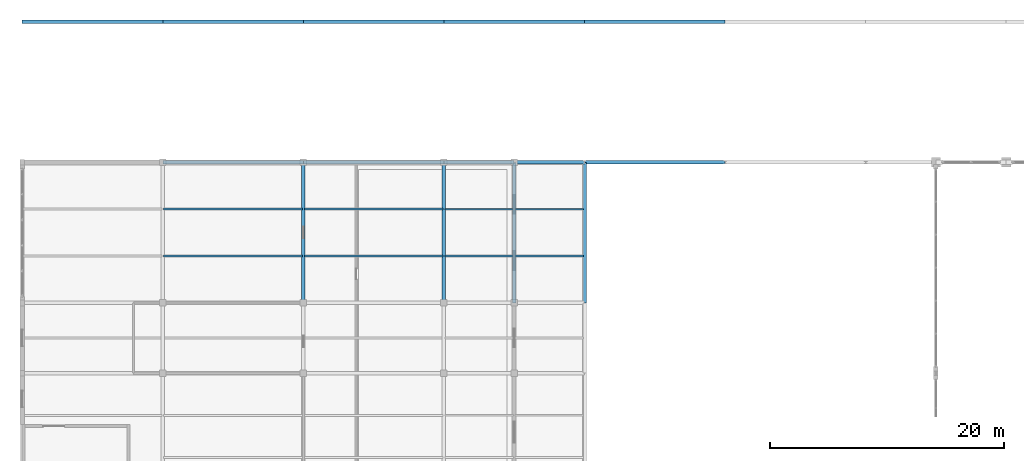
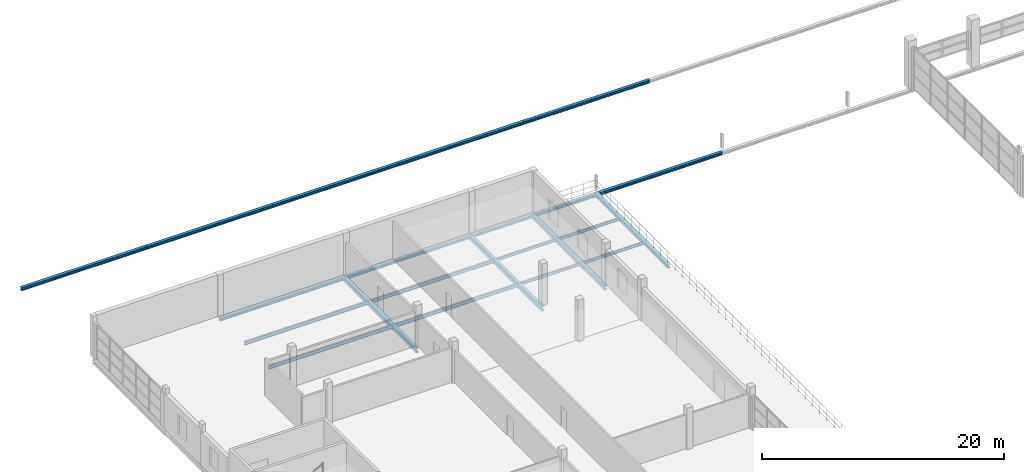
# One storey, part 47 of 86: 22 beams.
"""IFC4 building model written with IfcOpenShell, lengths in metres."""

from ifc_helpers import new_model, si_unit, direction, frame, origin, origin_2d, place, context, subcontext, project, spatial, i_section, extrude, material, material_profile, profile_set, type_object, element, save


model = new_model("IFC4")

# Units and contexts
model_context = context("Model", 3, precision=1e-05, world=origin(), true_north=direction((0.0, 1.0)))
body_context = subcontext(model_context, "Body", "Model", "MODEL_VIEW")
ifc_project = project(units=[si_unit("LENGTHUNIT", "METRE"), si_unit("AREAUNIT", "SQUARE_METRE"), si_unit("VOLUMEUNIT", "CUBIC_METRE"), si_unit("PLANEANGLEUNIT", "RADIAN"), si_unit("MASSUNIT", "GRAM", prefix="KILO")], contexts=[model_context])

# Site, building, storey
site_placement = place(None, origin())
site = spatial("IfcSite", under=ifc_project, at=site_placement, CompositionType="ELEMENT")
building_placement = place(site_placement, origin())
building = spatial("IfcBuilding", under=site, at=building_placement, Name="Zilviju Railside Exhibition Hall", CompositionType="ELEMENT")
storey_placement = place(building_placement, frame((0.0, 0.0, 12.60009765625)))
storey = spatial("IfcBuildingStorey", under=building, at=storey_placement, Name="L04", CompositionType="ELEMENT", Elevation=12.60009765625)

# Beams
ifc_material = material(Name="Steel S355J2", Category="steel")
ifc_material_profile_1 = material_profile(ifc_material, i_section(OverallWidth=0.300048828125, OverallDepth=0.2900390625, WebThickness=0.008544921875, FlangeThickness=0.013916015625, at=origin_2d()), Name="HEA 300")
ifc_profile_set_1 = profile_set([ifc_material_profile_1], Name="Steel S355J2")
beam_type_1 = type_object("IfcBeamType", Name="BM-HEA300", PredefinedType="SPANDREL", material=ifc_profile_set_1)
for number, where, z_axis, x_axis, name in (
    (1, (12.0, 138.0, -0.485107421875), (1.0, 0.0, 0.0), (0.0, 1.0, 0.0), "Primary Girder L04 Y=138.0 (12.0..24.0)"),
    (2, (24.0, 138.0, -0.485107421875), (1.0, 0.0, 0.0), (0.0, 1.0, 0.0), "Primary Girder L04 Y=138.0 (24.0..36.0)"),
):
    element("IfcBeam", number, at=place(storey_placement, frame(where, z_axis=z_axis, x_axis=x_axis)), inside=storey, type_object=beam_type_1, Name=name, PredefinedType="SPANDREL", context=body_context, shape_type="SweptSolid", body=[
        extrude(i_section(OverallWidth=0.300048828125, OverallDepth=0.2900390625, WebThickness=0.008544921875, FlangeThickness=0.013916015625, at=origin_2d()), origin(), (0.0, 0.0, 1.0), 12.0),
    ])
for number, where, z_axis, x_axis, name in (
    (3, (36.0, 138.0, -0.485107421875), (1.0, 0.0, 0.0), (0.0, 1.0, 0.0), "Primary Girder L04 Y=138.0 (36.0..42.0)"),
    (4, (42.0, 138.0, -0.485107421875), (1.0, 0.0, 0.0), (0.0, 1.0, 0.0), "Primary Girder L04 Y=138.0 (42.0..48.0)"),
):
    element("IfcBeam", number, at=place(storey_placement, frame(where, z_axis=z_axis, x_axis=x_axis)), inside=storey, type_object=beam_type_1, Name=name, PredefinedType="SPANDREL", context=body_context, shape_type="SweptSolid", body=[
        extrude(i_section(OverallWidth=0.300048828125, OverallDepth=0.2900390625, WebThickness=0.008544921875, FlangeThickness=0.013916015625, at=origin_2d()), origin(), (0.0, 0.0, 1.0), 6.0),
    ])
for number, where, z_axis, x_axis, name in (
    (5, (48.0, 138.0, -0.485107421875), (1.0, 0.0, 0.0), (0.0, 1.0, 0.0), "Primary Girder L04 Y=138.0 (48.0..60.0)"),
    (6, (0.0, 150.0, -0.485107421875), (1.0, 0.0, 0.0), (0.0, 1.0, 0.0), "Primary Girder L04 Y=150.0 (0.0..12.0)"),
    (7, (12.0, 150.0, -0.485107421875), (1.0, 0.0, 0.0), (0.0, 1.0, 0.0), "Primary Girder L04 Y=150.0 (12.0..24.0)"),
    (8, (24.0, 150.0, -0.485107421875), (1.0, 0.0, 0.0), (0.0, 1.0, 0.0), "Primary Girder L04 Y=150.0 (24.0..36.0)"),
    (9, (36.0, 150.0, -0.485107421875), (1.0, 0.0, 0.0), (0.0, 1.0, 0.0), "Primary Girder L04 Y=150.0 (36.0..48.0)"),
    (10, (48.0, 150.0, -0.485107421875), (1.0, 0.0, 0.0), (0.0, 1.0, 0.0), "Primary Girder L04 Y=150.0 (48.0..60.0)"),
):
    element("IfcBeam", number, at=place(storey_placement, frame(where, z_axis=z_axis, x_axis=x_axis)), inside=storey, type_object=beam_type_1, Name=name, PredefinedType="SPANDREL", context=body_context, shape_type="SweptSolid", body=[
        extrude(i_section(OverallWidth=0.300048828125, OverallDepth=0.2900390625, WebThickness=0.008544921875, FlangeThickness=0.013916015625, at=origin_2d()), origin(), (0.0, 0.0, 1.0), 12.0),
    ])
ifc_material_profile_2 = material_profile(ifc_material, i_section(OverallWidth=0.300048828125, OverallDepth=0.35009765625, WebThickness=0.010009765625, FlangeThickness=0.017578125, at=origin_2d()), Name="HEA 360")
ifc_profile_set_2 = profile_set([ifc_material_profile_2], Name="Steel S355J2")
beam_type_2 = type_object("IfcBeamType", Name="BM-HEA360", PredefinedType="BEAM", material=ifc_profile_set_2)
beam_placement = place(storey_placement, frame((48.0, 126.0, -0.47509765625), z_axis=(0.0, 1.0, 0.0), x_axis=(-1.0, 0.0, 0.0)))
element("IfcBeam", 11, at=beam_placement, inside=storey, type_object=beam_type_2, Name="Transverse Girder L04 X=48.0 (126.0..138.0)", PredefinedType="BEAM", context=body_context, shape_type="SweptSolid", body=[
    extrude(i_section(OverallWidth=0.300048828125, OverallDepth=0.35009765625, WebThickness=0.010009765625, FlangeThickness=0.017578125, at=origin_2d()), origin(), (0.0, 0.0, 1.0), 12.0),
])
ifc_material_profile_3 = material_profile(ifc_material, i_section(OverallWidth=0.300048828125, OverallDepth=0.449951171875, WebThickness=0.013916015625, FlangeThickness=0.02587890625, at=origin_2d()), Name="HEB 450")
ifc_profile_set_3 = profile_set([ifc_material_profile_3], Name="Steel S355J2")
beam_type_3 = type_object("IfcBeamType", Name="BM-HEB450", PredefinedType="BEAM", material=ifc_profile_set_3)
for number, where, z_axis, x_axis, name in (
    (12, (24.0, 126.0, -0.565185546875), (0.0, 1.0, 0.0), (-1.0, 0.0, 0.0), "Transverse Girder L04 X=24.0 (126.0..138.0)"),
    (13, (36.0, 126.0, -0.565185546875), (0.0, 1.0, 0.0), (-1.0, 0.0, 0.0), "Transverse Girder L04 X=36.0 (126.0..138.0)"),
    (14, (42.0, 126.0, -0.565185546875), (0.0, 1.0, 0.0), (-1.0, 0.0, 0.0), "Transverse Girder L04 X=42.0 (126.0..138.0)"),
):
    element("IfcBeam", number, at=place(storey_placement, frame(where, z_axis=z_axis, x_axis=x_axis)), inside=storey, type_object=beam_type_3, Name=name, PredefinedType="BEAM", context=body_context, shape_type="SweptSolid", body=[
        extrude(i_section(OverallWidth=0.300048828125, OverallDepth=0.449951171875, WebThickness=0.013916015625, FlangeThickness=0.02587890625, at=origin_2d()), origin(), (0.0, 0.0, 1.0), 12.0),
    ])
ifc_material_profile_4 = material_profile(ifc_material, i_section(OverallWidth=0.14990234375, OverallDepth=0.300048828125, WebThickness=0.007080078125, FlangeThickness=0.0107421875, at=origin_2d()), Name="IPE 300")
ifc_profile_set_4 = profile_set([ifc_material_profile_4], Name="Steel S355J2")
beam_type_4 = type_object("IfcBeamType", Name="BM-IPE300", PredefinedType="JOIST", material=ifc_profile_set_4)
for number, where, z_axis, x_axis, name in (
    (15, (36.080078125, 130.0, -0.489990234375), (1.0, 0.0, 0.0), (0.0, 1.0, 0.0), "Composite Floor Joist L04 Y=130.00 (36.0..42.0)"),
    (16, (36.080078125, 134.0, -0.489990234375), (1.0, 0.0, 0.0), (0.0, 1.0, 0.0), "Composite Floor Joist L04 Y=134.00 (36.0..42.0)"),
    (17, (42.080078125, 130.0, -0.489990234375), (1.0, 0.0, 0.0), (0.0, 1.0, 0.0), "Composite Floor Joist L04 Y=130.00 (42.0..48.0)"),
    (18, (42.080078125, 134.0, -0.489990234375), (1.0, 0.0, 0.0), (0.0, 1.0, 0.0), "Composite Floor Joist L04 Y=134.00 (42.0..48.0)"),
):
    element("IfcBeam", number, at=place(storey_placement, frame(where, z_axis=z_axis, x_axis=x_axis)), inside=storey, type_object=beam_type_4, Name=name, PredefinedType="JOIST", context=body_context, shape_type="SweptSolid", body=[
        extrude(i_section(OverallWidth=0.14990234375, OverallDepth=0.300048828125, WebThickness=0.007080078125, FlangeThickness=0.0107421875, at=origin_2d()), origin(), (0.0, 0.0, 1.0), 5.83984375),
    ])
ifc_material_profile_5 = material_profile(ifc_material, i_section(OverallWidth=0.169921875, OverallDepth=0.360107421875, WebThickness=0.008056640625, FlangeThickness=0.0126953125, at=origin_2d()), Name="IPE 360")
ifc_profile_set_5 = profile_set([ifc_material_profile_5], Name="Steel S355J2")
beam_type_5 = type_object("IfcBeamType", Name="BM-IPE360", PredefinedType="JOIST", material=ifc_profile_set_5)
for number, where, z_axis, x_axis, name in (
    (19, (12.080078125, 130.0, -0.52001953125), (1.0, 0.0, 0.0), (0.0, 1.0, 0.0), "Composite Floor Joist L04 Y=130.00 (12.0..24.0)"),
    (20, (12.080078125, 134.0, -0.52001953125), (1.0, 0.0, 0.0), (0.0, 1.0, 0.0), "Composite Floor Joist L04 Y=134.00 (12.0..24.0)"),
    (21, (24.080078125, 130.0, -0.52001953125), (1.0, 0.0, 0.0), (0.0, 1.0, 0.0), "Composite Floor Joist L04 Y=130.00 (24.0..36.0)"),
    (22, (24.080078125, 134.0, -0.52001953125), (1.0, 0.0, 0.0), (0.0, 1.0, 0.0), "Composite Floor Joist L04 Y=134.00 (24.0..36.0)"),
):
    element("IfcBeam", number, at=place(storey_placement, frame(where, z_axis=z_axis, x_axis=x_axis)), inside=storey, type_object=beam_type_5, Name=name, PredefinedType="JOIST", context=body_context, shape_type="SweptSolid", body=[
        extrude(i_section(OverallWidth=0.169921875, OverallDepth=0.360107421875, WebThickness=0.008056640625, FlangeThickness=0.0126953125, at=origin_2d()), origin(), (0.0, 0.0, 1.0), 11.83984375),
    ])

save(model, "model.ifc")
